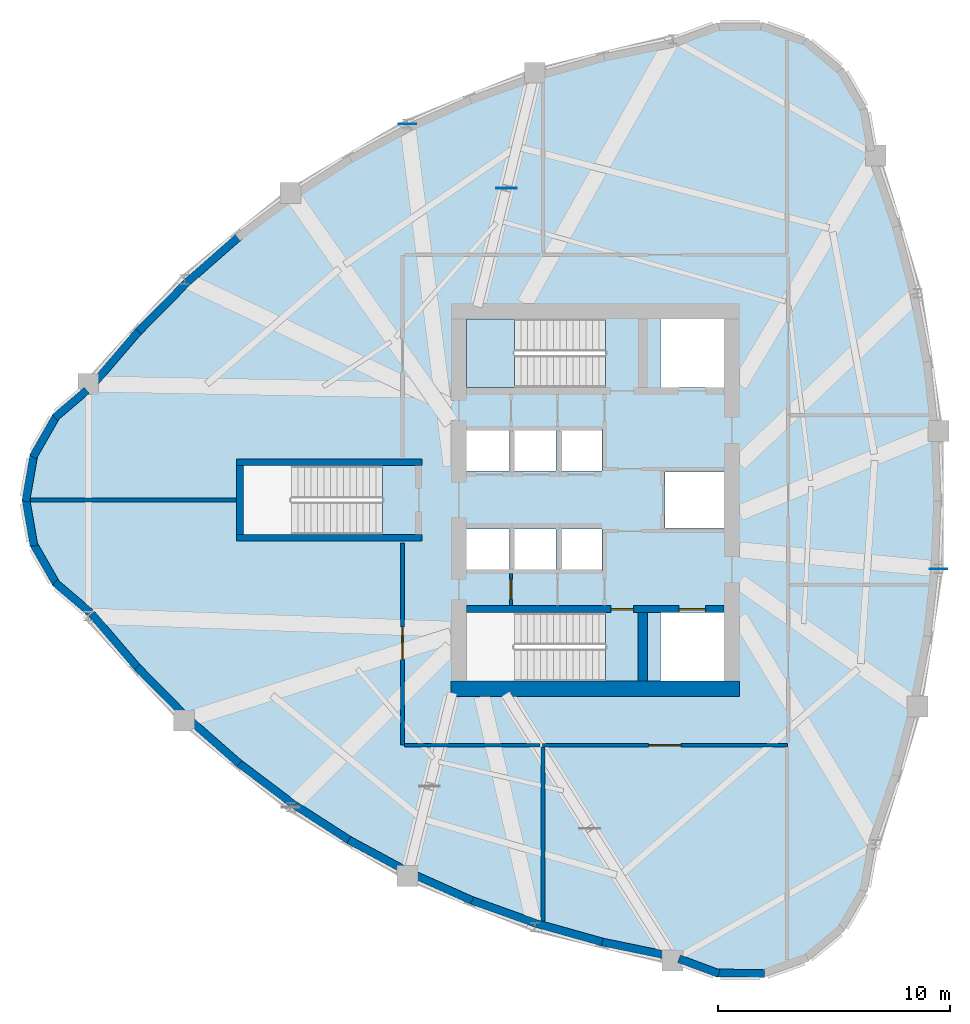
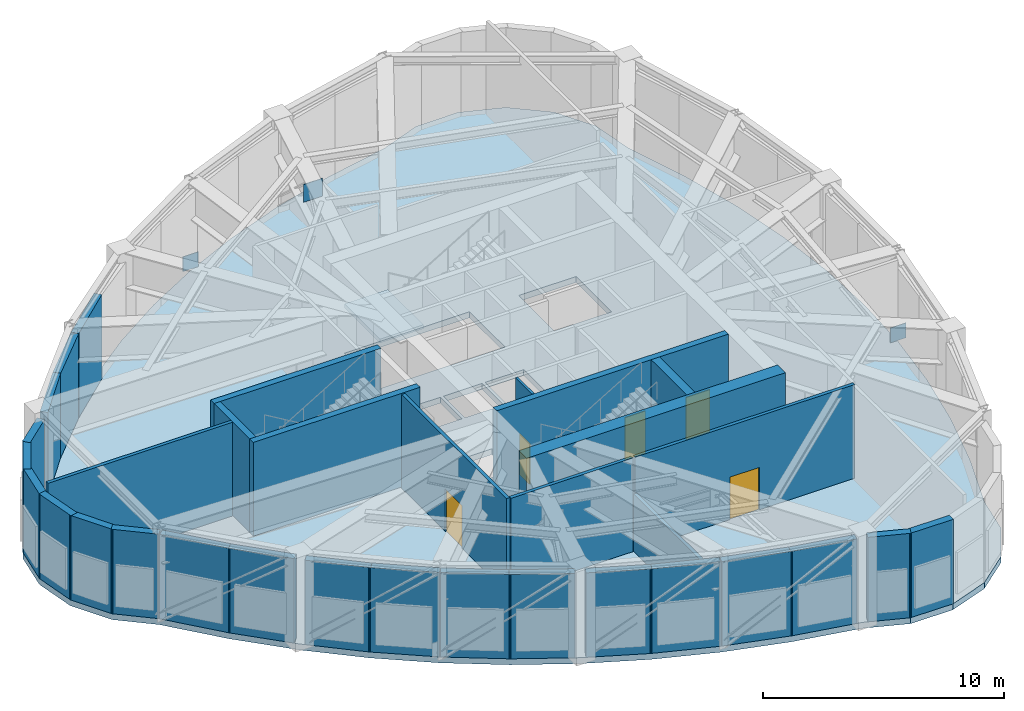
# One storey, part 3 of 9: 33 walls, 5 doors, 3 plates, 2 slabs, 5 openings, 1 element without a shape of its own.
"""IFC4 building model written with IfcOpenShell, lengths in metres."""

from ifc_helpers import new_model, si_unit, direction, frame, frame_2d, origin, origin_2d, place, context, subcontext, project, spatial, polyline, rectangle, outline, extrude, source, transform, mapped, material, layer, layer_set, type_object, element, fill, aggregate, save


model = new_model("IFC4")

# Units and contexts
model_context = context("Model", 3, precision=1e-05, world=origin(), true_north=direction((0.0, 1.0)))
body_context = subcontext(model_context, "Body", "Model", "MODEL_VIEW")
ifc_project = project(units=[si_unit("LENGTHUNIT", "METRE"), si_unit("AREAUNIT", "SQUARE_METRE"), si_unit("VOLUMEUNIT", "CUBIC_METRE"), si_unit("PLANEANGLEUNIT", "RADIAN"), si_unit("MASSUNIT", "GRAM", prefix="KILO")], contexts=[model_context])

# Site, building, storey
site_placement = place(None, origin())
site = spatial("IfcSite", under=ifc_project, at=site_placement, CompositionType="ELEMENT")
building_placement = place(site_placement, origin())
building = spatial("IfcBuilding", under=site, at=building_placement, Name="Qafzar Sky-Pleat Residences", CompositionType="ELEMENT")
storey_placement = place(building_placement, frame((0.0, 0.0, 128.0)))
storey = spatial("IfcBuildingStorey", under=building, at=storey_placement, Name="L38", CompositionType="ELEMENT", Elevation=128.0)

# Slab
ifc_material_1 = material(Name="Concrete C40/50", Category="concrete")
ifc_layer_1 = layer(ifc_material_1, 0.300048828125)
ifc_layer_set_1 = layer_set([ifc_layer_1], Name="Concrete C40/50")
slab_type_1 = type_object("IfcSlabType", Name="SLAB-FLR-300", PredefinedType="FLOOR", material=ifc_layer_set_1)
slab_1_placement = place(storey_placement, frame((0.0, 0.0, -0.300048828125)))
element("IfcSlab", 1, at=slab_1_placement, inside=storey, type_object=slab_type_1, Name="L38 Structural Floor Slab", PredefinedType="FLOOR", context=body_context, shape_type="SweptSolid", body=[
    extrude(outline(polyline([(8.52880859375, 30.99609375), (7.0087890625, 29.700927734375), (6.018310546875, 27.967041015625), (5.674560546875, 26.0), (6.018310546875, 24.032958984375), (7.0087890625, 22.299072265625), (8.52880859375, 21.00390625), (10.536376953125, 18.660888671875), (12.65673828125, 16.50927734375), (14.889892578125, 14.548583984375), (17.235595703125, 12.779296875), (19.694091796875, 11.200927734375), (22.26513671875, 9.813720703125), (24.948974609375, 8.61767578125), (27.74560546875, 7.61279296875), (30.65478515625, 6.798828125), (33.6767578125, 6.17626953125), (35.57177734375, 5.46826171875), (37.5947265625, 5.45458984375), (39.49951171875, 6.13623046875), (41.05419921875, 7.4306640625), (42.069580078125, 9.180419921875), (42.422607421875, 11.17236328125), (43.436767578125, 14.137939453125), (44.2255859375, 17.103515625), (44.7890625, 20.06884765625), (45.127197265625, 23.034423828125), (45.23974609375, 26.0), (45.127197265625, 28.965576171875), (44.7890625, 31.93115234375), (44.2255859375, 34.896484375), (43.436767578125, 37.862060546875), (42.422607421875, 40.82763671875), (42.069580078125, 42.819580078125), (41.05419921875, 44.5693359375), (39.49951171875, 45.86376953125), (37.5947265625, 46.54541015625), (35.57177734375, 46.53173828125), (33.6767578125, 45.82373046875), (30.65478515625, 45.201171875), (27.74560546875, 44.38720703125), (24.948974609375, 43.38232421875), (22.26513671875, 42.186279296875), (19.694091796875, 40.799072265625), (17.235595703125, 39.220703125), (14.889892578125, 37.451416015625), (12.65673828125, 35.49072265625), (10.536376953125, 33.339111328125), (8.52880859375, 30.99609375)]), holes=[polyline([(30.797119140625, 21.14990234375), (24.800048828125, 21.14990234375), (24.800048828125, 18.199951171875), (30.797119140625, 18.199951171875), (30.797119140625, 21.14990234375)]), polyline([(30.797119140625, 33.800048828125), (24.800048828125, 33.800048828125), (24.800048828125, 30.85009765625), (30.797119140625, 30.85009765625), (30.797119140625, 33.800048828125)]), polyline([(21.197021484375, 27.47509765625), (15.199951171875, 27.47509765625), (15.199951171875, 24.52490234375), (21.197021484375, 24.52490234375), (21.197021484375, 27.47509765625)]), polyline([(24.800048828125, 22.949951171875), (26.64990234375, 22.949951171875), (26.64990234375, 24.75), (24.800048828125, 24.75), (24.800048828125, 22.949951171875)]), polyline([(26.800048828125, 22.949951171875), (28.64990234375, 22.949951171875), (28.64990234375, 24.75), (26.800048828125, 24.75), (26.800048828125, 22.949951171875)]), polyline([(28.800048828125, 22.949951171875), (30.64990234375, 22.949951171875), (30.64990234375, 24.75), (28.800048828125, 24.75), (28.800048828125, 22.949951171875)]), polyline([(24.800048828125, 27.25), (26.64990234375, 27.25), (26.64990234375, 29.050048828125), (24.800048828125, 29.050048828125), (24.800048828125, 27.25)]), polyline([(26.800048828125, 27.25), (28.64990234375, 27.25), (28.64990234375, 29.050048828125), (26.800048828125, 29.050048828125), (26.800048828125, 27.25)]), polyline([(28.800048828125, 27.25), (30.64990234375, 27.25), (30.64990234375, 29.050048828125), (28.800048828125, 29.050048828125), (28.800048828125, 27.25)]), polyline([(33.14990234375, 18.199951171875), (35.89990234375, 18.199951171875), (35.89990234375, 21.14990234375), (33.14990234375, 21.14990234375), (33.14990234375, 18.199951171875)]), polyline([(33.14990234375, 30.85009765625), (35.89990234375, 30.85009765625), (35.89990234375, 33.800048828125), (33.14990234375, 33.800048828125), (33.14990234375, 30.85009765625)]), polyline([(33.35009765625, 24.800048828125), (35.89990234375, 24.800048828125), (35.89990234375, 27.199951171875), (33.35009765625, 27.199951171875), (33.35009765625, 24.800048828125)])]), origin(), (0.0, 0.0, 1.0), 0.300048828125),
])

# Stair, slab
stair_type = type_object("IfcStairType", Name="STAIR-H500", PredefinedType="HALF_TURN_STAIR", material=ifc_material_1)
stair_placement = place(storey_placement, origin())
stair = element("IfcStair", 2, at=stair_placement, inside=storey, type_object=stair_type, Name="L38 Protected Exit Stair ST2", PredefinedType="HALF_TURN_STAIR")
ifc_layer_2 = layer(ifc_material_1, 0.199951171875)
ifc_layer_set_2 = layer_set([ifc_layer_2], Name="Concrete C40/50")
slab_type_2 = type_object("IfcSlabType", Name="SLAB-LANDING-200", PredefinedType="LANDING", material=ifc_layer_set_2)
slab_2_placement = place(storey_placement, frame((0.0, 0.0, 2.300048828125)))
slab_2 = element("IfcSlab", 3, at=slab_2_placement, type_object=slab_type_2, Name="ST2 landing 1", PredefinedType="LANDING", context=body_context, shape_type="SweptSolid", body=[
    extrude(outline(polyline([(26.8798828125, 33.800048828125), (24.800048828125, 33.800048828125), (24.800048828125, 30.85009765625), (26.8798828125, 30.85009765625), (26.8798828125, 33.800048828125)])), origin(), (0.0, 0.0, 1.0), 0.199951171875),
])
aggregate(stair, [slab_2])

# Plates
ifc_material_2 = material(Name="Steel S355", Category="steel")
ifc_layer_3 = layer(ifc_material_2, 0.030029296875)
ifc_layer_set_3 = layer_set([ifc_layer_3], Name="Steel S355")
plate_type_1 = type_object("IfcPlateType", Name="PLT-NODE-BN1", PredefinedType="USERDEFINED", material=ifc_layer_set_3)
shared_shape_1 = source(origin(), body_context, "Body", "SweptSolid", [
    extrude(rectangle(XDim=0.75, YDim=0.030029296875, at=origin_2d()), origin(), (0.0, 0.0, 1.0), 0.75),
])
for number, where, z_axis, x_axis, name in (
    (4, (45.127197265625, 23.034423828125, 0.074951171875), (0.0, 0.0, 1.0), (1.0, 0.0, 0.0), "L38 Belt-Truss Node Plate 10"),
    (5, (22.26513671875, 42.186279296875, 0.074951171875), (0.0, 0.0, 1.0), (1.0, 0.0, 0.0), "L38 Belt-Truss Node Plate 16"),
):
    element("IfcPlate", number, at=place(storey_placement, frame(where, z_axis=z_axis, x_axis=x_axis)), inside=storey, type_object=plate_type_1, Name=name, ObjectType="GUSSET_PLATE", PredefinedType="USERDEFINED", context=body_context, shape_type="MappedRepresentation", body=[
        mapped(shared_shape_1, transform((0.0, 0.0, 0.0), x_axis=(1.0, 0.0, 0.0), y_axis=(0.0, 1.0, 0.0), z_axis=(0.0, 0.0, 1.0), scale=1.0)),
    ])
ifc_layer_4 = layer(ifc_material_2, 0.034912109375)
ifc_layer_set_4 = layer_set([ifc_layer_4], Name="Steel S355")
plate_type_2 = type_object("IfcPlateType", Name="PLT-NODE-ON1", PredefinedType="USERDEFINED", material=ifc_layer_set_4)
shared_shape_2 = source(origin(), body_context, "Body", "SweptSolid", [
    extrude(rectangle(XDim=0.89990234375, YDim=0.034912109375, at=origin_2d()), origin(), (0.0, 0.0, 1.0), 0.89990234375),
])
plate_placement = place(storey_placement, frame((26.52880859375, 39.418701171875, 3.800048828125), z_axis=(0.0, 0.0, 1.0), x_axis=(1.0, 0.0, 0.0)))
element("IfcPlate", 6, at=plate_placement, inside=storey, type_object=plate_type_2, Name="L38 Outrigger Gusset Node 8", ObjectType="GUSSET_PLATE", PredefinedType="USERDEFINED", context=body_context, shape_type="MappedRepresentation", body=[
    mapped(shared_shape_2, transform((0.0, 0.0, 0.0), x_axis=(1.0, 0.0, 0.0), y_axis=(0.0, 1.0, 0.0), z_axis=(0.0, 0.0, 1.0), scale=1.0)),
])

# Wall, opening, door
ifc_material_3 = material(Name="Acoustic gypsum plasterboard partition", Category="gypsum")
ifc_layer_5 = layer(ifc_material_3, 0.159912109375)
ifc_layer_set_5 = layer_set([ifc_layer_5], Name="Acoustic gypsum plasterboard partition")
wall_type_1 = type_object("IfcWallType", Name="PART-COR-160", PredefinedType="PARTITIONING", material=ifc_layer_set_5)
wall_1_placement = place(storey_placement, frame((38.614990234375, 15.449951171875, 0.0), z_axis=(0.0, 0.0, 1.0), x_axis=(-1.0, 0.0, 0.0)))
wall_1 = element("IfcWall", 7, at=wall_1_placement, inside=storey, type_object=wall_type_1, Name="L38 Partition Wall PART-L38-PW-002", PredefinedType="PARTITIONING", context=body_context, shape_type="SweptSolid", body=[
    extrude(rectangle(XDim=10.530029296875, YDim=0.159912109375, at=frame_2d((5.26513671875, 0.0))), origin(), (0.0, 0.0, 1.0), 4.75),
])
opening_1_placement = place(wall_1_placement, frame((4.56494140625, 0.0, 0.0)))
opening_1 = element("IfcOpeningElement", 8, at=opening_1_placement, cuts=wall_1, Name="Opening ID-10", PredefinedType="OPENING", context=body_context, shape_type="SweptSolid", body=[
    extrude(rectangle(XDim=1.39990234375, YDim=2.14990234375, at=frame_2d((0.699951171875, 1.074951171875))), frame((0.0, 0.08984375, 0.0), z_axis=(0.0, -1.0, 0.0), x_axis=(1.0, 0.0, 0.0)), (0.0, 0.0, 1.0), 0.179931640625),
])
ifc_material_4 = material(Name="Timber-faced fire door", Category="wood")
door_type_1 = type_object("IfcDoorType", Name="DR-PLANT-1400", OperationType="DOUBLE_DOOR_SINGLE_SWING", PredefinedType="DOOR", material=ifc_material_4)
shared_shape_3 = source(origin(), body_context, "Body", "SweptSolid", [
    extrude(rectangle(XDim=1.39990234375, YDim=2.14990234375, at=frame_2d((0.699951171875, 1.074951171875))), frame((0.0, 0.02490234375, 0.0), z_axis=(0.0, -1.0, 0.0), x_axis=(1.0, 0.0, 0.0)), (0.0, 0.0, 1.0), 0.050048828125),
])
door_1_placement = place(opening_1_placement, origin())
door_1 = element("IfcDoor", 9, at=door_1_placement, inside=storey, type_object=door_type_1, Name="L38 HV Transformer and Switchgear Plant Room Door", OperationType="DOUBLE_DOOR_SINGLE_SWING", OverallHeight=2.14990234375, OverallWidth=1.39990234375, PredefinedType="DOOR", context=body_context, shape_type="MappedRepresentation", body=[
    mapped(shared_shape_3, transform((0.0, 0.0, 0.0), x_axis=(1.0, 0.0, 0.0), y_axis=(0.0, 1.0, 0.0), z_axis=(0.0, 0.0, 1.0), scale=1.0)),
])
fill(opening_1, door_1)

wall_2_placement = place(storey_placement, frame((22.050048828125, 15.449951171875, 0.0), z_axis=(0.0, 0.0, 1.0), x_axis=(0.0, 1.0, 0.0)))
wall_2 = element("IfcWall", 10, at=wall_2_placement, inside=storey, type_object=wall_type_1, Name="L38 Partition Wall PART-L38-PW-003", PredefinedType="PARTITIONING", context=body_context, shape_type="SweptSolid", body=[
    extrude(rectangle(XDim=8.699951171875, YDim=0.159912109375, at=frame_2d((4.35009765625, 0.0))), origin(), (0.0, 0.0, 1.0), 4.75),
])
opening_2_placement = place(wall_2_placement, frame((3.6875, 0.0, 0.0)))
opening_2 = element("IfcOpeningElement", 11, at=opening_2_placement, cuts=wall_2, Name="Opening ID-10", PredefinedType="OPENING", context=body_context, shape_type="SweptSolid", body=[
    extrude(rectangle(XDim=1.39990234375, YDim=2.14990234375, at=frame_2d((0.699951171875, 1.074951171875))), frame((0.0, 0.08984375, 0.0), z_axis=(0.0, -1.0, 0.0), x_axis=(1.0, 0.0, 0.0)), (0.0, 0.0, 1.0), 0.179931640625),
])
door_2_placement = place(opening_2_placement, origin())
door_2 = element("IfcDoor", 12, at=door_2_placement, inside=storey, type_object=door_type_1, Name="L38 AHU Ventilation Plant Room Door", OperationType="DOUBLE_DOOR_SINGLE_SWING", OverallHeight=2.14990234375, OverallWidth=1.39990234375, PredefinedType="DOOR", context=body_context, shape_type="MappedRepresentation", body=[
    mapped(shared_shape_3, transform((0.0, 0.0, 0.0), x_axis=(1.0, 0.0, 0.0), y_axis=(0.0, 1.0, 0.0), z_axis=(0.0, 0.0, 1.0), scale=1.0)),
])
fill(opening_2, door_2)

# Walls
wall_3_placement = place(storey_placement, frame((6.0400390625, 26.0, 0.0), z_axis=(0.0, 0.0, 1.0), x_axis=(1.0, 0.0, 0.0)))
element("IfcWall", 13, at=wall_3_placement, inside=storey, type_object=wall_type_1, Name="L38 Partition Wall PART-L38-PW-010", PredefinedType="PARTITIONING", context=body_context, shape_type="SweptSolid", body=[
    extrude(rectangle(XDim=8.85205078125, YDim=0.159912109375, at=frame_2d((4.426025390625, 0.0))), origin(), (0.0, 0.0, 1.0), 4.75),
])
wall_4_placement = place(storey_placement, frame((28.10009765625, 7.878662109375, 0.0), z_axis=(0.0, 0.0, 1.0), x_axis=(0.0, 1.0, 0.0)))
element("IfcWall", 14, at=wall_4_placement, inside=storey, type_object=wall_type_1, Name="L38 Partition Wall PART-L38-PW-012", PredefinedType="PARTITIONING", context=body_context, shape_type="SweptSolid", body=[
    extrude(rectangle(XDim=7.4833984375, YDim=0.159912109375, at=frame_2d((3.74169921875, 0.0))), origin(), (0.0, 0.0, 1.0), 2.91796875),
])
wall_5_placement = place(storey_placement, frame((22.137939453125, 15.449951171875, 0.0), z_axis=(0.0, 0.0, 1.0), x_axis=(1.0, 0.0, 0.0)))
element("IfcWall", 15, at=wall_5_placement, inside=storey, type_object=wall_type_1, Name="L38 Partition Wall PART-L38-PW-016", PredefinedType="PARTITIONING", context=body_context, shape_type="SweptSolid", body=[
    extrude(rectangle(XDim=5.843994140625, YDim=0.159912109375, at=frame_2d((2.921875, 0.0))), origin(), (0.0, 0.0, 1.0), 4.75),
])

# Wall, opening, door
ifc_material_5 = material(Name="Gypsum plasterboard partition", Category="gypsum")
ifc_layer_6 = layer(ifc_material_5, 0.114990234375)
ifc_layer_set_6 = layer_set([ifc_layer_6], Name="Gypsum plasterboard partition")
wall_type_2 = type_object("IfcWallType", Name="PART-SVC-115", PredefinedType="PARTITIONING", material=ifc_layer_set_6)
wall_6_placement = place(storey_placement, frame((26.72509765625, 21.4599609375, 0.0), z_axis=(0.0, 0.0, 1.0), x_axis=(0.0, 1.0, 0.0)))
wall_6 = element("IfcWall", 16, at=wall_6_placement, inside=storey, type_object=wall_type_2, Name="L38 Partition Wall PART-L38-KC-SW-1", PredefinedType="PARTITIONING", context=body_context, shape_type="SweptSolid", body=[
    extrude(rectangle(XDim=1.380126953125, YDim=0.114990234375, at=frame_2d((0.68994140625, 0.0))), origin(), (0.0, 0.0, 1.0), 4.75),
])
opening_3_placement = place(wall_6_placement, frame((0.260009765625, 0.0, 0.0)))
opening_3 = element("IfcOpeningElement", 17, at=opening_3_placement, cuts=wall_6, Name="Opening ID-09", PredefinedType="OPENING", context=body_context, shape_type="SweptSolid", body=[
    extrude(rectangle(XDim=0.860107421875, YDim=2.050048828125, at=frame_2d((0.43017578125, 1.02490234375))), frame((0.0, 0.0673828125, 0.0), z_axis=(0.0, -1.0, 0.0), x_axis=(1.0, 0.0, 0.0)), (0.0, 0.0, 1.0), 0.135009765625),
])
door_type_2 = type_object("IfcDoorType", Name="DR-SVC-860", OperationType="NOTDEFINED", PredefinedType="DOOR", material=ifc_material_4)
shared_shape_4 = source(origin(), body_context, "Body", "SweptSolid", [
    extrude(rectangle(XDim=0.860107421875, YDim=2.050048828125, at=frame_2d((0.43017578125, 1.02490234375))), frame((0.0, 0.02490234375, 0.0), z_axis=(0.0, -1.0, 0.0), x_axis=(1.0, 0.0, 0.0)), (0.0, 0.0, 1.0), 0.050048828125),
])
door_3_placement = place(opening_3_placement, origin())
door_3 = element("IfcDoor", 18, at=door_3_placement, inside=storey, type_object=door_type_2, Name="L38 Core South Cupboard 1 Door", OperationType="SINGLE_SWING_LEFT", OverallHeight=2.050048828125, OverallWidth=0.860107421875, PredefinedType="DOOR", context=body_context, shape_type="MappedRepresentation", body=[
    mapped(shared_shape_4, transform((0.0, 0.0, 0.0), x_axis=(1.0, 0.0, 0.0), y_axis=(0.0, 1.0, 0.0), z_axis=(0.0, 0.0, 1.0), scale=1.0)),
])
fill(opening_3, door_3)

# Walls
ifc_material_6 = material(Name="Precast concrete C40/50 with honed Riyadh limestone", Category="concrete")
ifc_layer_7 = layer(ifc_material_6, 0.340087890625)
ifc_layer_set_7 = layer_set([ifc_layer_7], Name="Precast concrete C40/50 with honed Riyadh limestone")
wall_type_3 = type_object("IfcWallType", Name="WALL-EXT-340", PredefinedType="SOLIDWALL", material=ifc_layer_set_7)
wall_7_placement = place(storey_placement, frame((8.4638671875, 30.717529296875, 0.0), z_axis=(0.0, 0.0, 1.0), x_axis=(-0.76120118347, -0.648515811899, 0.0)))
element("IfcWall", 19, at=wall_7_placement, inside=storey, type_object=wall_type_3, Name="L38 Limestone Facade Wall 1", PredefinedType="SOLIDWALL", context=body_context, shape_type="SweptSolid", body=[
    extrude(rectangle(XDim=1.8046875, YDim=0.340087890625, at=frame_2d((0.90234375, 0.0))), origin(), (0.0, 0.0, 1.0), 4.280029296875),
])
wall_8_placement = place(storey_placement, frame((7.17529296875, 29.649658203125, 0.0), z_axis=(0.0, 0.0, 1.0), x_axis=(-0.495999400124, -0.868322863385, 0.0)))
element("IfcWall", 20, at=wall_8_placement, inside=storey, type_object=wall_type_3, Name="L38 Limestone Facade Wall 2", PredefinedType="SOLIDWALL", context=body_context, shape_type="SweptSolid", body=[
    extrude(rectangle(XDim=2.07275390625, YDim=0.340087890625, at=frame_2d((1.036376953125, 0.0))), origin(), (0.0, 0.0, 1.0), 4.280029296875),
])
for number, where, z_axis, x_axis, name in (
    (21, (6.1923828125, 27.975341796875, 0.0), (0.0, 0.0, 1.0), (-0.172186061474, -0.985064444711, 0.0), "L38 Limestone Facade Wall 3"),
    (22, (5.83544921875, 26.066650390625, 0.0), (0.0, 0.0, 1.0), (0.172186061474, -0.985064444711, 0.0), "L38 Limestone Facade Wall 4"),
):
    element("IfcWall", number, at=place(storey_placement, frame(where, z_axis=z_axis, x_axis=x_axis)), inside=storey, type_object=wall_type_3, Name=name, PredefinedType="SOLIDWALL", context=body_context, shape_type="SweptSolid", body=[
        extrude(rectangle(XDim=2.072998046875, YDim=0.340087890625, at=frame_2d((1.03662109375, 0.0))), origin(), (0.0, 0.0, 1.0), 4.280029296875),
    ])
wall_9_placement = place(storey_placement, frame((6.147216796875, 24.150146484375, 0.0), z_axis=(0.0, 0.0, 1.0), x_axis=(0.495999400124, -0.868322863385, 0.0)))
element("IfcWall", 23, at=wall_9_placement, inside=storey, type_object=wall_type_3, Name="L38 Limestone Facade Wall 5", PredefinedType="SOLIDWALL", context=body_context, shape_type="SweptSolid", body=[
    extrude(rectangle(XDim=2.07275390625, YDim=0.340087890625, at=frame_2d((1.036376953125, 0.0))), origin(), (0.0, 0.0, 1.0), 4.280029296875),
])
wall_10_placement = place(storey_placement, frame((7.090087890625, 22.452880859375, 0.0), z_axis=(0.0, 0.0, 1.0), x_axis=(0.761203352049, -0.648513266502, 0.0)))
element("IfcWall", 24, at=wall_10_placement, inside=storey, type_object=wall_type_3, Name="L38 Limestone Facade Wall 6", PredefinedType="SOLIDWALL", context=body_context, shape_type="SweptSolid", body=[
    extrude(rectangle(XDim=2.014892578125, YDim=0.340087890625, at=frame_2d((1.00732421875, 0.0))), origin(), (0.0, 0.0, 1.0), 4.280029296875),
])
wall_11_placement = place(storey_placement, frame((8.6708984375, 21.09912109375, 0.0), z_axis=(0.0, 0.0, 1.0), x_axis=(0.65073305839, -0.759306582823, 0.0)))
element("IfcWall", 25, at=wall_11_placement, inside=storey, type_object=wall_type_3, Name="L38 Limestone Facade Wall 7", PredefinedType="SOLIDWALL", context=body_context, shape_type="SweptSolid", body=[
    extrude(rectangle(XDim=3.10302734375, YDim=0.340087890625, at=frame_2d((1.551513671875, 0.0))), origin(), (0.0, 0.0, 1.0), 4.280029296875),
])
wall_12_placement = place(storey_placement, frame((10.630859375, 18.807373046875, 0.0), z_axis=(0.0, 0.0, 1.0), x_axis=(0.701909586733, -0.712266054261, 0.0)))
element("IfcWall", 26, at=wall_12_placement, inside=storey, type_object=wall_type_3, Name="L38 Limestone Facade Wall 8", PredefinedType="SOLIDWALL", context=body_context, shape_type="SweptSolid", body=[
    extrude(rectangle(XDim=2.828857421875, YDim=0.340087890625, at=frame_2d((1.41455078125, 0.0))), origin(), (0.0, 0.0, 1.0), 4.280029296875),
])
wall_13_placement = place(storey_placement, frame((12.94189453125, 16.4853515625, 0.0), z_axis=(0.0, 0.0, 1.0), x_axis=(0.751427478967, -0.659815689305, 0.0)))
element("IfcWall", 27, at=wall_13_placement, inside=storey, type_object=wall_type_3, Name="L38 Limestone Facade Wall 9", PredefinedType="SOLIDWALL", context=body_context, shape_type="SweptSolid", body=[
    extrude(rectangle(XDim=2.779541015625, YDim=0.340087890625, at=frame_2d((1.3896484375, 0.0))), origin(), (0.0, 0.0, 1.0), 4.280029296875),
])
wall_14_placement = place(storey_placement, frame((14.9619140625, 14.707275390625, 0.0), z_axis=(0.0, 0.0, 1.0), x_axis=(0.798341968257, -0.602204368732, 0.0)))
element("IfcWall", 28, at=wall_14_placement, inside=storey, type_object=wall_type_3, Name="L38 Limestone Facade Wall 10", PredefinedType="SOLIDWALL", context=body_context, shape_type="SweptSolid", body=[
    extrude(rectangle(XDim=2.956298828125, YDim=0.340087890625, at=frame_2d((1.47802734375, 0.0))), origin(), (0.0, 0.0, 1.0), 4.280029296875),
])
wall_15_placement = place(storey_placement, frame((17.34423828125, 12.91162109375, 0.0), z_axis=(0.0, 0.0, 1.0), x_axis=(0.841496750769, -0.540262175657, 0.0)))
element("IfcWall", 29, at=wall_15_placement, inside=storey, type_object=wall_type_3, Name="L38 Limestone Facade Wall 11", PredefinedType="SOLIDWALL", context=body_context, shape_type="SweptSolid", body=[
    extrude(rectangle(XDim=2.939453125, YDim=0.340087890625, at=frame_2d((1.4697265625, 0.0))), origin(), (0.0, 0.0, 1.0), 4.280029296875),
])
wall_16_placement = place(storey_placement, frame((19.7412109375, 11.36865234375, 0.0), z_axis=(0.0, 0.0, 1.0), x_axis=(0.88007734826, -0.474830349788, 0.0)))
element("IfcWall", 30, at=wall_16_placement, inside=storey, type_object=wall_type_3, Name="L38 Limestone Facade Wall 12", PredefinedType="SOLIDWALL", context=body_context, shape_type="SweptSolid", body=[
    extrude(rectangle(XDim=2.729736328125, YDim=0.340087890625, at=frame_2d((1.36474609375, 0.0))), origin(), (0.0, 0.0, 1.0), 4.280029296875),
])
wall_17_placement = place(storey_placement, frame((22.54443359375, 9.875244140625, 0.0), z_axis=(0.0, 0.0, 1.0), x_axis=(0.913404185574, -0.407053797153, 0.0)))
element("IfcWall", 31, at=wall_17_placement, inside=storey, type_object=wall_type_3, Name="L38 Limestone Facade Wall 13", PredefinedType="SOLIDWALL", context=body_context, shape_type="SweptSolid", body=[
    extrude(rectangle(XDim=2.746337890625, YDim=0.340087890625, at=frame_2d((1.373046875, 0.0))), origin(), (0.0, 0.0, 1.0), 4.280029296875),
])
wall_18_placement = place(storey_placement, frame((24.970703125, 8.790283203125, 0.0), z_axis=(0.0, 0.0, 1.0), x_axis=(0.941086086789, -0.338167084814, 0.0)))
element("IfcWall", 32, at=wall_18_placement, inside=storey, type_object=wall_type_3, Name="L38 Limestone Facade Wall 14", PredefinedType="SOLIDWALL", context=body_context, shape_type="SweptSolid", body=[
    extrude(rectangle(XDim=2.989501953125, YDim=0.340087890625, at=frame_2d((1.49462890625, 0.0))), origin(), (0.0, 0.0, 1.0), 4.280029296875),
])
wall_19_placement = place(storey_placement, frame((27.810546875, 7.77099609375, 0.0), z_axis=(0.0, 0.0, 1.0), x_axis=(0.963039905189, -0.269358758934, 0.0)))
element("IfcWall", 33, at=wall_19_placement, inside=storey, type_object=wall_type_3, Name="L38 Limestone Facade Wall 15", PredefinedType="SOLIDWALL", context=body_context, shape_type="SweptSolid", body=[
    extrude(rectangle(XDim=3.0390625, YDim=0.340087890625, at=frame_2d((1.51953125, 0.0))), origin(), (0.0, 0.0, 1.0), 4.280029296875),
])
wall_20_placement = place(storey_placement, frame((30.65185546875, 6.97314453125, 0.0), z_axis=(0.0, 0.0, 1.0), x_axis=(0.979418300652, -0.201841007595, 0.0)))
element("IfcWall", 34, at=wall_20_placement, inside=storey, type_object=wall_type_3, Name="L38 Limestone Facade Wall 16", PredefinedType="SOLIDWALL", context=body_context, shape_type="SweptSolid", body=[
    extrude(rectangle(XDim=2.893310546875, YDim=0.340087890625, at=frame_2d((1.44677734375, 0.0))), origin(), (0.0, 0.0, 1.0), 4.280029296875),
])
wall_21_placement = place(storey_placement, frame((33.95166015625, 6.2548828125, 0.0), z_axis=(0.0, 0.0, 1.0), x_axis=(0.936799566991, -0.349866504951, 0.0)))
element("IfcWall", 35, at=wall_21_placement, inside=storey, type_object=wall_type_3, Name="L38 Limestone Facade Wall 17", PredefinedType="SOLIDWALL", context=body_context, shape_type="SweptSolid", body=[
    extrude(rectangle(XDim=1.8310546875, YDim=0.340087890625, at=frame_2d((0.91552734375, 0.0))), origin(), (0.0, 0.0, 1.0), 4.280029296875),
])
wall_22_placement = place(storey_placement, frame((35.534912109375, 5.638671875, 0.0), z_axis=(0.0, 0.0, 1.0), x_axis=(0.999976456891, -0.00686189939, 0.0)))
element("IfcWall", 36, at=wall_22_placement, inside=storey, type_object=wall_type_3, Name="L38 Limestone Facade Wall 18", PredefinedType="SOLIDWALL", context=body_context, shape_type="SweptSolid", body=[
    extrude(rectangle(XDim=2.09912109375, YDim=0.340087890625, at=frame_2d((1.049560546875, 0.0))), origin(), (0.0, 0.0, 1.0), 4.280029296875),
])
wall_23_placement = place(storey_placement, frame((15.030517578125, 37.3486328125, 0.0), z_axis=(0.0, 0.0, 1.0), x_axis=(-0.751472812955, -0.659764057364, 0.0)))
element("IfcWall", 37, at=wall_23_placement, inside=storey, type_object=wall_type_3, Name="L38 Limestone Facade Wall 46", PredefinedType="SOLIDWALL", context=body_context, shape_type="SweptSolid", body=[
    extrude(rectangle(XDim=2.989501953125, YDim=0.340087890625, at=frame_2d((1.49462890625, 0.0))), origin(), (0.0, 0.0, 1.0), 4.280029296875),
])
wall_24_placement = place(storey_placement, frame((12.763916015625, 35.357177734375, 0.0), z_axis=(0.0, 0.0, 1.0), x_axis=(-0.701906045867, -0.712269543625, 0.0)))
element("IfcWall", 38, at=wall_24_placement, inside=storey, type_object=wall_type_3, Name="L38 Limestone Facade Wall 47", PredefinedType="SOLIDWALL", context=body_context, shape_type="SweptSolid", body=[
    extrude(rectangle(XDim=3.0390625, YDim=0.340087890625, at=frame_2d((1.51953125, 0.0))), origin(), (0.0, 0.0, 1.0), 4.280029296875),
])
wall_25_placement = place(storey_placement, frame((10.690185546875, 33.257080078125, 0.0), z_axis=(0.0, 0.0, 1.0), x_axis=(-0.650763576187, -0.759280427714, 0.0)))
element("IfcWall", 39, at=wall_25_placement, inside=storey, type_object=wall_type_3, Name="L38 Limestone Facade Wall 48", PredefinedType="SOLIDWALL", context=body_context, shape_type="SweptSolid", body=[
    extrude(rectangle(XDim=2.893310546875, YDim=0.340087890625, at=frame_2d((1.44677734375, 0.0))), origin(), (0.0, 0.0, 1.0), 4.280029296875),
])

# Wall, openings, doors
ifc_material_7 = material(Name="Concrete C60/75", Category="concrete")
ifc_layer_8 = layer(ifc_material_7, 0.300048828125)
ifc_layer_set_8 = layer_set([ifc_layer_8], Name="Concrete C60/75")
wall_type_4 = type_object("IfcWallType", Name="WALL-SHEAR-300", PredefinedType="SHEAR", material=ifc_layer_set_8)
wall_26_placement = place(storey_placement, frame((24.800048828125, 21.300048828125, 0.0), z_axis=(0.0, 0.0, 1.0), x_axis=(1.0, 0.0, 0.0)))
wall_26 = element("IfcWall", 40, at=wall_26_placement, inside=storey, type_object=wall_type_4, Name="L38 Stair ST1 and FF1 Shaft North Wall", PredefinedType="SHEAR", context=body_context, shape_type="SweptSolid", body=[
    extrude(rectangle(XDim=11.099853515625, YDim=0.300048828125, at=frame_2d((5.5498046875, 0.0))), origin(), (0.0, 0.0, 1.0), 4.75),
])
opening_4_placement = place(wall_26_placement, frame((6.219970703125, 0.0, 0.0)))
opening_4 = element("IfcOpeningElement", 41, at=opening_4_placement, cuts=wall_26, Name="Opening ID-01", PredefinedType="OPENING", context=body_context, shape_type="SweptSolid", body=[
    extrude(rectangle(XDim=0.97998046875, YDim=2.14990234375, at=frame_2d((0.489990234375, 1.074951171875))), frame((0.0, 0.16015625, 0.0), z_axis=(0.0, -1.0, 0.0), x_axis=(1.0, 0.0, 0.0)), (0.0, 0.0, 1.0), 0.320068359375),
])
opening_5_placement = place(wall_26_placement, frame((9.14990234375, 0.0, 0.0)))
opening_5 = element("IfcOpeningElement", 42, at=opening_5_placement, cuts=wall_26, Name="Opening LD-02", PredefinedType="OPENING", context=body_context, shape_type="SweptSolid", body=[
    extrude(rectangle(XDim=1.14990234375, YDim=2.14990234375, at=frame_2d((0.574951171875, 1.074951171875))), frame((0.0, 0.16015625, 0.0), z_axis=(0.0, -1.0, 0.0), x_axis=(1.0, 0.0, 0.0)), (0.0, 0.0, 1.0), 0.320068359375),
])
door_type_3 = type_object("IfcDoorType", Name="DR-STAIR-980", OperationType="NOTDEFINED", PredefinedType="DOOR", material=ifc_material_4)
shared_shape_5 = source(origin(), body_context, "Body", "SweptSolid", [
    extrude(rectangle(XDim=0.97998046875, YDim=2.14990234375, at=frame_2d((0.489990234375, 1.074951171875))), frame((0.0, 0.02490234375, 0.0), z_axis=(0.0, -1.0, 0.0), x_axis=(1.0, 0.0, 0.0)), (0.0, 0.0, 1.0), 0.050048828125),
])
door_4_placement = place(opening_4_placement, origin())
door_4 = element("IfcDoor", 43, at=door_4_placement, inside=storey, type_object=door_type_3, Name="L38 Stair ST1 Fire Door", OperationType="SINGLE_SWING_RIGHT", OverallHeight=2.14990234375, OverallWidth=0.97998046875, PredefinedType="DOOR", context=body_context, shape_type="MappedRepresentation", body=[
    mapped(shared_shape_5, transform((0.0, 0.0, 0.0), x_axis=(1.0, 0.0, 0.0), y_axis=(0.0, 1.0, 0.0), z_axis=(0.0, 0.0, 1.0), scale=1.0)),
])
fill(opening_4, door_4)
ifc_material_8 = material(Name="Stainless steel sliding landing door", Category="steel")
door_type_4 = type_object("IfcDoorType", Name="DR-LIFT-FF", OperationType="DOUBLE_DOOR_SLIDING", PredefinedType="DOOR", material=ifc_material_8)
shared_shape_6 = source(origin(), body_context, "Body", "SweptSolid", [
    extrude(rectangle(XDim=1.14990234375, YDim=2.14990234375, at=frame_2d((0.574951171875, 1.074951171875))), frame((0.0, 0.02490234375, 0.0), z_axis=(0.0, -1.0, 0.0), x_axis=(1.0, 0.0, 0.0)), (0.0, 0.0, 1.0), 0.050048828125),
])
door_5_placement = place(opening_5_placement, origin())
door_5 = element("IfcDoor", 44, at=door_5_placement, inside=storey, type_object=door_type_4, Name="L38 Firefighting Lift FF1 Landing Door", OperationType="DOUBLE_DOOR_SLIDING", OverallHeight=2.14990234375, OverallWidth=1.14990234375, PredefinedType="DOOR", context=body_context, shape_type="MappedRepresentation", body=[
    mapped(shared_shape_6, transform((0.0, 0.0, 0.0), x_axis=(1.0, 0.0, 0.0), y_axis=(0.0, 1.0, 0.0), z_axis=(0.0, 0.0, 1.0), scale=1.0)),
])
fill(opening_5, door_5)

# Walls
for number, where, z_axis, x_axis, name in (
    (45, (14.89990234375, 24.375, 0.0), (0.0, 0.0, 1.0), (1.0, 0.0, 0.0), "L38 ST3 wall S"),
    (46, (22.89990234375, 27.625, 0.0), (0.0, 0.0, 1.0), (-1.0, 0.0, 0.0), "L38 ST3 wall N"),
):
    element("IfcWall", number, at=place(storey_placement, frame(where, z_axis=z_axis, x_axis=x_axis)), inside=storey, type_object=wall_type_4, Name=name, PredefinedType="SHEAR", context=body_context, shape_type="SweptSolid", body=[
        extrude(rectangle(XDim=8.0, YDim=0.300048828125, at=frame_2d((4.0, 0.0))), origin(), (0.0, 0.0, 1.0), 4.75),
    ])
wall_27_placement = place(storey_placement, frame((15.050048828125, 27.47509765625, 0.0), z_axis=(0.0, 0.0, 1.0), x_axis=(0.0, -1.0, 0.0)))
element("IfcWall", 47, at=wall_27_placement, inside=storey, type_object=wall_type_4, Name="L38 ST3 wall W", PredefinedType="SHEAR", context=body_context, shape_type="SweptSolid", body=[
    extrude(rectangle(XDim=2.9501953125, YDim=0.300048828125, at=frame_2d((1.47509765625, 0.0))), origin(), (0.0, 0.0, 1.0), 4.75),
])
ifc_layer_9 = layer(ifc_material_7, 0.39990234375)
ifc_layer_set_9 = layer_set([ifc_layer_9], Name="Concrete C60/75")
wall_type_5 = type_object("IfcWallType", Name="WALL-SHEAR-400", PredefinedType="SHEAR", material=ifc_layer_set_9)
wall_28_placement = place(storey_placement, frame((32.39990234375, 18.199951171875, 0.0), z_axis=(0.0, 0.0, 1.0), x_axis=(0.0, 1.0, 0.0)))
element("IfcWall", 48, at=wall_28_placement, inside=storey, type_object=wall_type_5, Name="L38 Stair ST1 East Dividing Wall", PredefinedType="SHEAR", context=body_context, shape_type="SweptSolid", body=[
    extrude(rectangle(XDim=2.949951171875, YDim=0.39990234375, at=frame_2d((1.47509765625, 0.0))), origin(), (0.0, 0.0, 1.0), 4.75),
])
ifc_layer_10 = layer(ifc_material_7, 0.64990234375)
ifc_layer_set_10 = layer_set([ifc_layer_10], Name="Concrete C60/75")
wall_type_6 = type_object("IfcWallType", Name="WALL-SHEAR-650", PredefinedType="SHEAR", material=ifc_layer_set_10)
wall_29_placement = place(storey_placement, frame((24.14990234375, 17.875, 0.0), z_axis=(0.0, 0.0, 1.0), x_axis=(1.0, 0.0, 0.0)))
element("IfcWall", 49, at=wall_29_placement, inside=storey, type_object=wall_type_6, Name="L38 CORE wall S", PredefinedType="SHEAR", context=body_context, shape_type="SweptSolid", body=[
    extrude(rectangle(XDim=12.400146484375, YDim=0.64990234375, at=frame_2d((6.2001953125, 0.0))), origin(), (0.0, 0.0, 1.0), 4.75),
])

save(model, "model.ifc")
